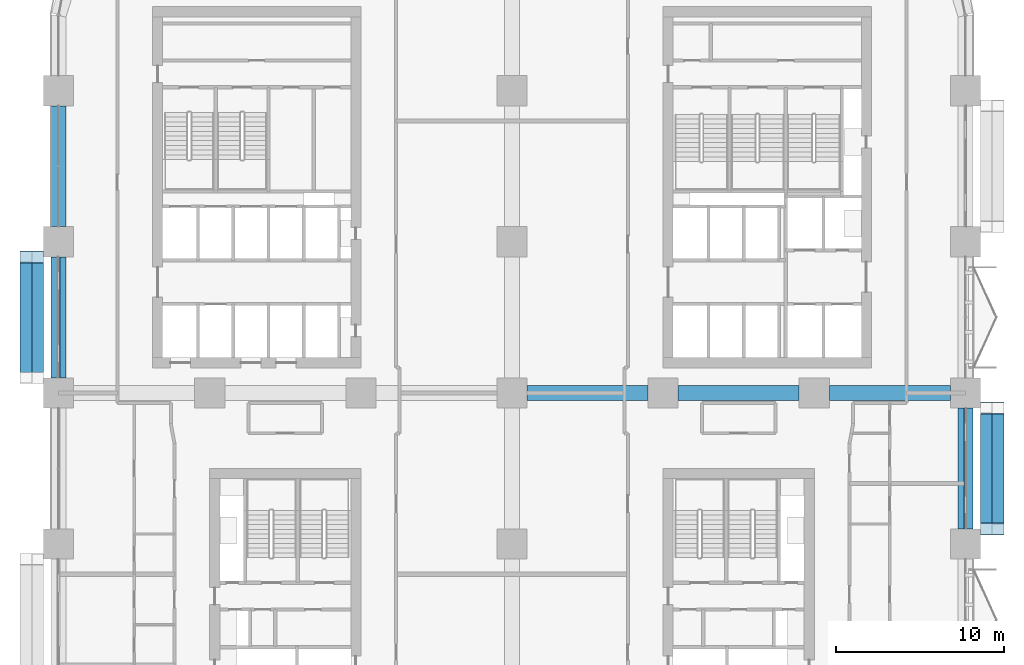
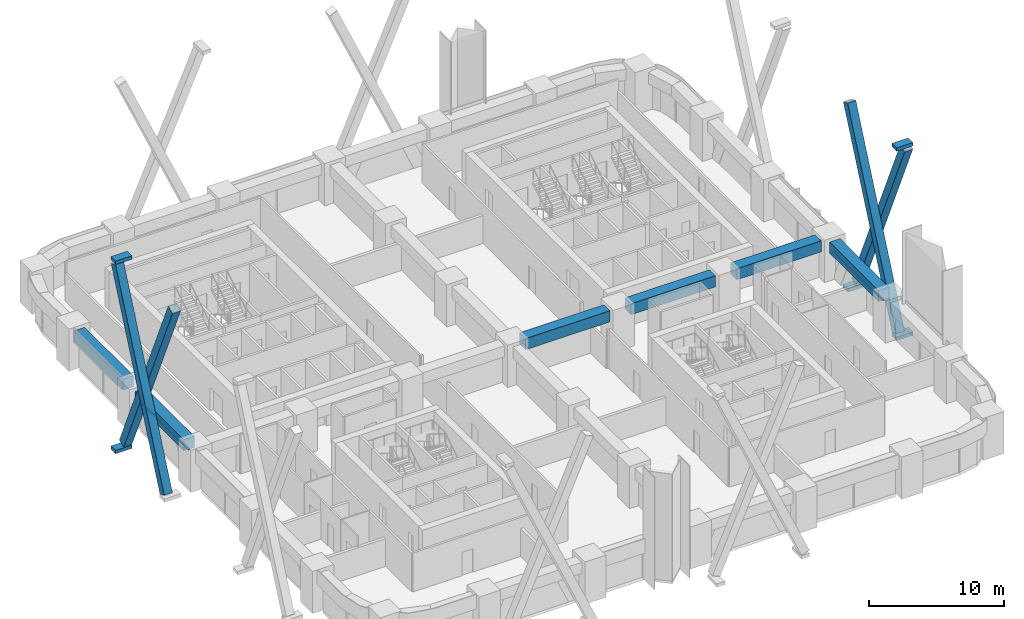
# One storey, part 6 of 24: 11 members, 6 beams, 2 elements without a shape of their own.
"""IFC4 building model written with IfcOpenShell, lengths in metres."""

from ifc_helpers import new_model, si_unit, direction, frame, origin, origin_2d, place, context, subcontext, project, spatial, rectangle, hollow_rectangle, extrude, material, layer, layer_set, material_profile, profile_set, type_object, element, aggregate, save


model = new_model("IFC4")

# Units and contexts
model_context = context("Model", 3, precision=1e-05, world=origin(), true_north=direction((0.0, 1.0)))
body_context = subcontext(model_context, "Body", "Model", "MODEL_VIEW")
ifc_project = project(units=[si_unit("LENGTHUNIT", "METRE"), si_unit("AREAUNIT", "SQUARE_METRE"), si_unit("VOLUMEUNIT", "CUBIC_METRE"), si_unit("PLANEANGLEUNIT", "RADIAN"), si_unit("MASSUNIT", "GRAM", prefix="KILO")], contexts=[model_context])

# Site, building, storey
site_placement = place(None, origin())
site = spatial("IfcSite", under=ifc_project, at=site_placement, CompositionType="ELEMENT")
building_placement = place(site_placement, origin())
building = spatial("IfcBuilding", under=site, at=building_placement, Name="Tessera Arch", CompositionType="ELEMENT")
storey_placement = place(building_placement, frame((0.0, 0.0, 61.39990234375)))
storey = spatial("IfcBuildingStorey", under=building, at=storey_placement, Name="L13", CompositionType="ELEMENT", Elevation=61.39990234375)

# Members
ifc_material_1 = material(Name="Steel A572 Gr50", Category="steel")
ifc_material_profile_1 = material_profile(ifc_material_1, hollow_rectangle(XDim=0.699951171875, YDim=0.699951171875, WallThickness=0.050048828125, at=origin_2d()), Name="BOX 700x700x50")
ifc_profile_set_1 = profile_set([ifc_material_profile_1], Name="Steel A572 Gr50")
member_type_1 = type_object("IfcMemberType", Name="Brace BOX 700x700x50 Steel A572 Gr50", PredefinedType="BRACE", material=ifc_profile_set_1)
for number, where, z_axis, x_axis, name in (
    (1, (55.25, 18.89990234375, -0.7998046875), (0.0, 0.402001211434, 0.915639135252), (-1.0, 0.0, 0.0), "Brace E54.0-2 A L13-L16"),
    (2, (55.949951171875, 26.10009765625, -0.7998046875), (0.0, -0.402001211434, 0.915639135252), (1.0, 0.0, 0.0), "Brace E54.0-2 B L13-L16"),
    (3, (-1.25, 35.10009765625, -0.7998046875), (0.0, -0.402001211434, 0.915639135252), (1.0, 0.0, 0.0), "Brace W0.0-2 A L13-L16"),
    (4, (-1.949951171875, 27.89990234375, -0.7998046875), (0.0, 0.402001211434, 0.915639135252), (-1.0, 0.0, 0.0), "Brace W0.0-2 B L13-L16"),
):
    element("IfcMember", number, at=place(storey_placement, frame(where, z_axis=z_axis, x_axis=x_axis)), inside=storey, type_object=member_type_1, Name=name, PredefinedType="BRACE", context=body_context, shape_type="SweptSolid", body=[
        extrude(hollow_rectangle(XDim=0.699951171875, YDim=0.699951171875, WallThickness=0.050048828125, at=origin_2d()), origin(), (0.0, 0.0, 1.0), 17.910888671875),
    ])

# Curtain wall, member
ifc_material_2 = material(Name="CW3 curtain wall")
curtain_wall_type = type_object("IfcCurtainWallType", Name="CW3 curtain wall", PredefinedType="NOTDEFINED", material=ifc_material_2)
curtain_wall_1_placement = place(storey_placement, origin())
curtain_wall_1 = element("IfcCurtainWall", 5, at=curtain_wall_1_placement, inside=storey, type_object=curtain_wall_type, Name="CW3 curtain wall E54.0/2 L13", PredefinedType="NOTDEFINED")
ifc_material_3 = material(Name="Anodised aluminium pale metal", Category="aluminium")
ifc_material_profile_2 = material_profile(ifc_material_3, rectangle(XDim=0.139892578125, YDim=0.10009765625, at=origin_2d()), Name="AL 140x100")
ifc_profile_set_2 = profile_set([ifc_material_profile_2], Name="Anodised aluminium pale metal")
member_type_2 = type_object("IfcMemberType", Name="CW3 transom", PredefinedType="USERDEFINED", material=ifc_profile_set_2)
member_1_placement = place(storey_placement, frame((54.0, 18.89990234375, 2.4501953125), z_axis=(0.0, 1.0, 0.0), x_axis=(-1.0, 0.0, 0.0)))
member_1 = element("IfcMember", 6, at=member_1_placement, type_object=member_type_2, Name="CW3 transom E54.0/2 1.1", ObjectType="TRANSOM", PredefinedType="USERDEFINED", context=body_context, shape_type="SweptSolid", body=[
    extrude(rectangle(XDim=0.139892578125, YDim=0.10009765625, at=origin_2d()), origin(), (0.0, 0.0, 1.0), 7.2001953125),
])
aggregate(curtain_wall_1, [member_1])

curtain_wall_2_placement = place(storey_placement, origin())
curtain_wall_2 = element("IfcCurtainWall", 7, at=curtain_wall_2_placement, inside=storey, type_object=curtain_wall_type, Name="CW3 curtain wall W0.0/2 L13", PredefinedType="NOTDEFINED")
member_2_placement = place(storey_placement, frame((0.0, 35.10009765625, 2.4501953125), z_axis=(0.0, -1.0, 0.0), x_axis=(1.0, 0.0, 0.0)))
member_2 = element("IfcMember", 8, at=member_2_placement, type_object=member_type_2, Name="CW3 transom W0.0/2 1.1", ObjectType="TRANSOM", PredefinedType="USERDEFINED", context=body_context, shape_type="SweptSolid", body=[
    extrude(rectangle(XDim=0.139892578125, YDim=0.10009765625, at=origin_2d()), origin(), (0.0, 0.0, 1.0), 7.2001953125),
])
aggregate(curtain_wall_2, [member_2])

# Members
ifc_material_4 = material(Name="Steel A572 Gr50", Category="steel")
ifc_layer = layer(ifc_material_4, 0.050048828125)
ifc_layer_set = layer_set([ifc_layer], Name="Node block Steel A572 Gr50")
member_type_3 = type_object("IfcMemberType", Name="Node block Steel A572 Gr50", PredefinedType="PLATE", material=ifc_layer_set)
for number, where, z_axis, x_axis, name in (
    (9, (55.60009765625, 26.10009765625, -1.27734375), (0.0, 0.0, 1.0), (0.0, 1.0, 0.0), "Node block seat E54.0-2 1 L13"),
    (10, (55.60009765625, 18.89990234375, -1.27734375), (0.0, 0.0, 1.0), (0.0, 1.0, 0.0), "Node block seat E54.0-2 2 L13"),
    (11, (55.60009765625, 18.89990234375, 15.77734375), (0.0, 0.0, 1.0), (0.0, 1.0, 0.0), "Node block head E54.0-2 B L13"),
    (12, (-1.60009765625, 35.10009765625, -1.27734375), (0.0, 0.0, 1.0), (0.0, -1.0, 0.0), "Node block seat W0.0-2 2 L13"),
    (13, (-1.60009765625, 35.10009765625, 15.77734375), (0.0, 0.0, 1.0), (0.0, -1.0, 0.0), "Node block head W0.0-2 B L13"),
):
    element("IfcMember", number, at=place(storey_placement, frame(where, z_axis=z_axis, x_axis=x_axis)), inside=storey, type_object=member_type_3, Name=name, PredefinedType="PLATE", context=body_context, shape_type="SweptSolid", body=[
        extrude(rectangle(XDim=0.699951171875, YDim=1.39990234375, at=origin_2d()), origin(), (0.0, 0.0, 1.0), 0.300048828125),
    ])

# Beams
ifc_material_5 = material(Name="Concrete C80/95", Category="concrete")
ifc_material_profile_3 = material_profile(ifc_material_5, rectangle(XDim=0.89990234375, YDim=1.0, at=origin_2d()), Name="RC spandrel beam 900 x 1000 Concrete C80/95")
ifc_profile_set_3 = profile_set([ifc_material_profile_3], Name="Concrete C80/95")
beam_type = type_object("IfcBeamType", Name="RC spandrel beam 900 x 1000 Concrete C80/95", PredefinedType="BEAM", material=ifc_profile_set_3)
for number, where, z_axis, x_axis, name in (
    (14, (54.0, 18.89990234375, 3.0), (0.0, 1.0, 0.0), (-1.0, 0.0, 0.0), "Spandrel beam L13 E54.0/2"),
    (15, (0.0, 44.10009765625, 3.0), (0.0, -1.0, 0.0), (1.0, 0.0, 0.0), "Spandrel beam L13 W0.0/1"),
    (16, (0.0, 35.10009765625, 3.0), (0.0, -1.0, 0.0), (1.0, 0.0, 0.0), "Spandrel beam L13 W0.0/2"),
    (17, (27.89990234375, 27.0, 3.0), (1.0, 0.0, 0.0), (0.0, 1.0, 0.0), "Interface beam L13 I1C4D-C5D"),
    (18, (36.89990234375, 27.0, 3.0), (1.0, 0.0, 0.0), (0.0, 1.0, 0.0), "Interface beam L13 I1C5D-C6D"),
    (19, (45.89990234375, 27.0, 3.0), (1.0, 0.0, 0.0), (0.0, 1.0, 0.0), "Interface beam L13 I1C6D-C7D"),
):
    element("IfcBeam", number, at=place(storey_placement, frame(where, z_axis=z_axis, x_axis=x_axis)), inside=storey, type_object=beam_type, Name=name, PredefinedType="BEAM", context=body_context, shape_type="SweptSolid", body=[
        extrude(rectangle(XDim=0.89990234375, YDim=1.0, at=origin_2d()), origin(), (0.0, 0.0, 1.0), 7.2001953125),
    ])

save(model, "model.ifc")
